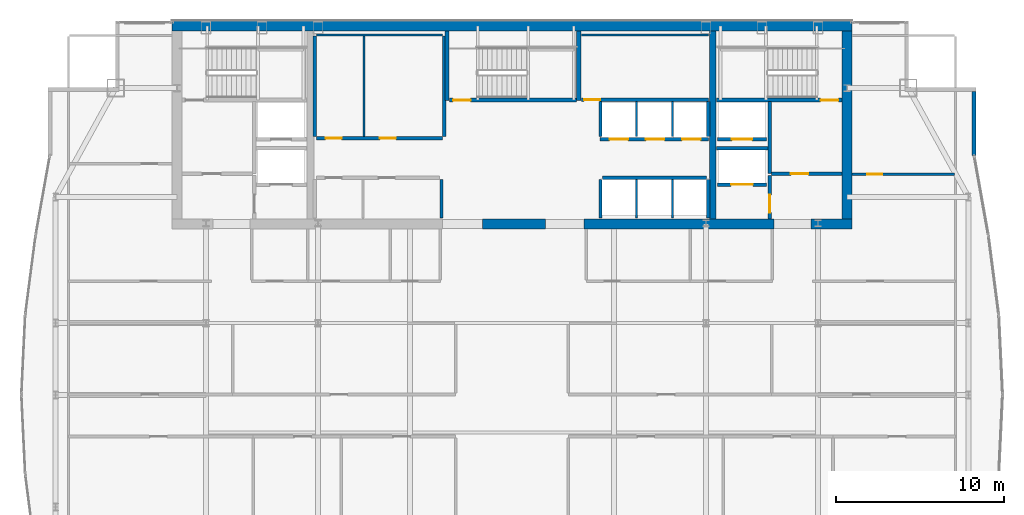
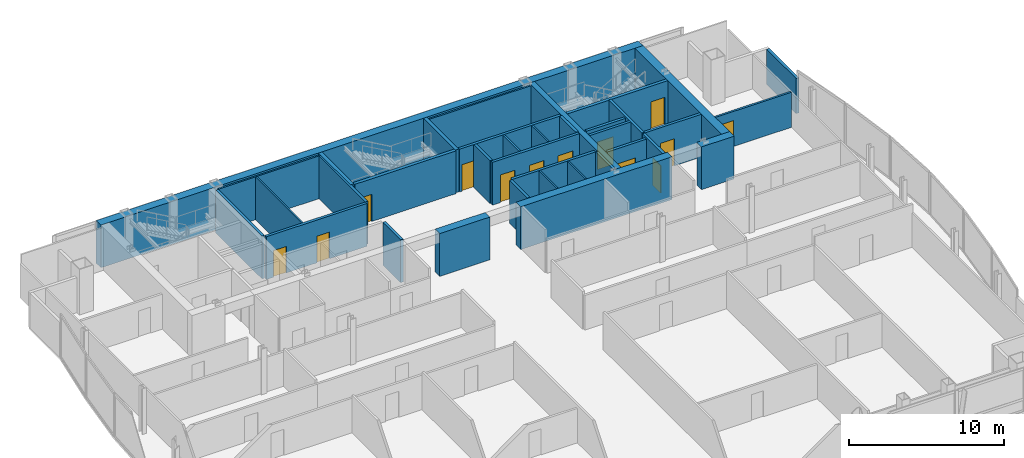
# One storey, part 27 of 30: 36 walls, 13 doors, 13 openings.
"""IFC4 building model written with IfcOpenShell, lengths in metres."""

from ifc_helpers import new_model, si_unit, direction, frame, frame_2d, origin, place, context, subcontext, project, spatial, rectangle, extrude, material, layer, layer_set, type_object, element, fill, save


model = new_model("IFC4")

# Units and contexts
model_context = context("Model", 3, precision=1e-05, world=origin(), true_north=direction((0.0, 1.0)))
body_context = subcontext(model_context, "Body", "Model", "MODEL_VIEW")
ifc_project = project(units=[si_unit("LENGTHUNIT", "METRE"), si_unit("AREAUNIT", "SQUARE_METRE"), si_unit("VOLUMEUNIT", "CUBIC_METRE"), si_unit("PLANEANGLEUNIT", "RADIAN"), si_unit("MASSUNIT", "GRAM", prefix="KILO")], contexts=[model_context])

# Site, building, storey
site_placement = place(None, origin())
site = spatial("IfcSite", under=ifc_project, at=site_placement, CompositionType="ELEMENT")
building_placement = place(site_placement, origin())
building = spatial("IfcBuilding", under=site, at=building_placement, Name="Khoronbel Lancet Exchange", CompositionType="ELEMENT")
storey_placement = place(building_placement, frame((0.0, 0.0, 253.39990234375)))
storey = spatial("IfcBuildingStorey", under=building, at=storey_placement, Name="L65", CompositionType="ELEMENT", Elevation=253.39990234375)

# Walls
ifc_material_1 = material(Name="Concrete C60/75", Category="concrete")
ifc_layer_1 = layer(ifc_material_1, 0.60009765625, Name="Concrete C60/75")
ifc_layer_set_1 = layer_set([ifc_layer_1], Name="Concrete C60/75")
wall_type_1 = type_object("IfcWallType", Name="WL-CW3", PredefinedType="SHEAR", material=ifc_layer_set_1)
wall_1_placement = place(storey_placement, frame((16.199951171875, 53.39990234375, 0.0), z_axis=(0.0, 0.0, 1.0), x_axis=(1.0, 0.0, 0.0)))
element("IfcWall", 1, at=wall_1_placement, inside=storey, type_object=wall_type_1, Name="Level L65 rear core north shear wall", PredefinedType="SHEAR", context=body_context, shape_type="SweptSolid", body=[
    extrude(rectangle(XDim=40.5, YDim=0.60009765625, at=frame_2d((20.25, 0.0))), origin(), (0.0, 0.0, 1.0), 3.380126953125),
])
wall_2_placement = place(storey_placement, frame((56.39990234375, 53.10009765625, 0.0), z_axis=(0.0, 0.0, 1.0), x_axis=(0.0, -1.0, 0.0)))
element("IfcWall", 2, at=wall_2_placement, inside=storey, type_object=wall_type_1, Name="Level L65 rear core east shear wall", PredefinedType="SHEAR", context=body_context, shape_type="SweptSolid", body=[
    extrude(rectangle(XDim=11.2001953125, YDim=0.60009765625, at=frame_2d((5.60009765625, 0.0))), origin(), (0.0, 0.0, 1.0), 3.380126953125),
])
wall_3_placement = place(storey_placement, frame((38.449951171875, 41.60009765625, 0.0), z_axis=(0.0, 0.0, 1.0), x_axis=(-1.0, 0.0, 0.0)))
element("IfcWall", 3, at=wall_3_placement, inside=storey, type_object=wall_type_1, Name="Level L65 rear core south shear wall pier P3", PredefinedType="SHEAR", context=body_context, shape_type="SweptSolid", body=[
    extrude(rectangle(XDim=3.75, YDim=0.60009765625, at=frame_2d((1.875, 0.0))), origin(), (0.0, 0.0, 1.0), 3.380126953125),
])
wall_4_placement = place(storey_placement, frame((52.050048828125, 41.60009765625, 0.0), z_axis=(0.0, 0.0, 1.0), x_axis=(-1.0, 0.0, 0.0)))
element("IfcWall", 4, at=wall_4_placement, inside=storey, type_object=wall_type_1, Name="Level L65 rear core south shear wall pier P4", PredefinedType="SHEAR", context=body_context, shape_type="SweptSolid", body=[
    extrude(rectangle(XDim=11.300048828125, YDim=0.60009765625, at=frame_2d((5.64990234375, 0.0))), origin(), (0.0, 0.0, 1.0), 3.380126953125),
])
wall_5_placement = place(storey_placement, frame((56.699951171875, 41.60009765625, 0.0), z_axis=(0.0, 0.0, 1.0), x_axis=(-1.0, 0.0, 0.0)))
element("IfcWall", 5, at=wall_5_placement, inside=storey, type_object=wall_type_1, Name="Level L65 rear core south shear wall pier P5", PredefinedType="SHEAR", context=body_context, shape_type="SweptSolid", body=[
    extrude(rectangle(XDim=2.449951171875, YDim=0.60009765625, at=frame_2d((1.22509765625, 0.0))), origin(), (0.0, 0.0, 1.0), 3.380126953125),
])
ifc_material_2 = material(Name="Precast concrete C40/50", Category="concrete")
ifc_layer_2 = layer(ifc_material_2, 0.25, Name="Precast concrete C40/50")
ifc_layer_set_2 = layer_set([ifc_layer_2], Name="Precast concrete C40/50")
wall_type_2 = type_object("IfcWallType", Name="WL-EXT250", PredefinedType="SOLIDWALL", material=ifc_layer_set_2)
wall_6_placement = place(storey_placement, frame((63.9599609375, 49.5, 0.0), z_axis=(0.0, 0.0, 1.0), x_axis=(0.0, -1.0, 0.0)))
element("IfcWall", 6, at=wall_6_placement, inside=storey, type_object=wall_type_2, Name="Level L65 notched-corner limestone pier 16", PredefinedType="SOLIDWALL", context=body_context, shape_type="SweptSolid", body=[
    extrude(rectangle(XDim=3.827880859375, YDim=0.219970703125, at=frame_2d((1.9140625, 0.0))), origin(), (0.0, 0.0, 1.0), 2.77001953125),
])

# Wall, opening, door
ifc_material_3 = material(Name="Acoustic Metal-Stud & Mineral-Wool Gypsum Partition 120 mm", Category="gypsum")
ifc_layer_3 = layer(ifc_material_3, 0.1201171875, Name="Acoustic Metal-Stud & Mineral-Wool Gypsum Partition 120 mm")
ifc_layer_set_3 = layer_set([ifc_layer_3], Name="Acoustic Metal-Stud & Mineral-Wool Gypsum Partition 120 mm")
wall_type_3 = type_object("IfcWallType", Name="WL-PRT120", PredefinedType="PARTITIONING", material=ifc_layer_set_3)
wall_7_placement = place(storey_placement, frame((56.699951171875, 44.56005859375, 0.0), z_axis=(0.0, 0.0, 1.0), x_axis=(1.0, 0.0, 0.0)))
wall_7 = element("IfcWall", 7, at=wall_7_placement, inside=storey, type_object=wall_type_3, Name="Level L65 interior partition PW-NE-H", PredefinedType="PARTITIONING", context=body_context, shape_type="SweptSolid", body=[
    extrude(rectangle(XDim=6.10498046875, YDim=0.14990234375, at=frame_2d((3.052490234375, 0.0))), origin(), (0.0, 0.0, 1.0), 2.77001953125),
])
opening_1_placement = place(wall_7_placement, frame((0.89990234375, 0.0, 0.0)))
opening_1 = element("IfcOpeningElement", 8, at=opening_1_placement, cuts=wall_7, Name="Opening D5", PredefinedType="OPENING", context=body_context, shape_type="SweptSolid", body=[
    extrude(rectangle(XDim=0.89990234375, YDim=2.050048828125, at=frame_2d((0.449951171875, 1.02490234375))), frame((0.0, 0.0849609375, 0.0), z_axis=(0.0, -1.0, 0.0), x_axis=(1.0, 0.0, 0.0)), (0.0, 0.0, 1.0), 0.169921875),
])
ifc_material_4 = material(Name="Acoustic Timber Pantry & Support Door", Category="wood")
door_type_1 = type_object("IfcDoorType", Name="DR-D5", OperationType="NOTDEFINED", PredefinedType="DOOR", material=ifc_material_4)
door_1_placement = place(opening_1_placement, origin())
door_1 = element("IfcDoor", 9, at=door_1_placement, inside=storey, type_object=door_type_1, Name="NE north room door L65-1", OperationType="SINGLE_SWING_LEFT", OverallHeight=2.050048828125, OverallWidth=0.89990234375, PredefinedType="DOOR", context=body_context, shape_type="SweptSolid", body=[
    extrude(rectangle(XDim=0.89990234375, YDim=2.050048828125, at=frame_2d((0.449951171875, 1.02490234375))), frame((0.0, 0.02490234375, 0.0), z_axis=(0.0, -1.0, 0.0), x_axis=(1.0, 0.0, 0.0)), (0.0, 0.0, 1.0), 0.050048828125),
])
fill(opening_1, door_1)

# Walls
ifc_material_5 = material(Name="Fire-Rated Metal-Stud & Mineral-Wool Gypsum Partition 120 mm", Category="gypsum")
ifc_layer_4 = layer(ifc_material_5, 0.1201171875, Name="Fire-Rated Metal-Stud & Mineral-Wool Gypsum Partition 120 mm")
ifc_layer_set_4 = layer_set([ifc_layer_4], Name="Fire-Rated Metal-Stud & Mineral-Wool Gypsum Partition 120 mm")
wall_type_4 = type_object("IfcWallType", Name="WL-PRT120F", PredefinedType="PARTITIONING", material=ifc_layer_set_4)
wall_8_placement = place(storey_placement, frame((24.804931640625, 52.860107421875, 0.0), z_axis=(0.0, 0.0, 1.0), x_axis=(1.0, 0.0, 0.0)))
element("IfcWall", 10, at=wall_8_placement, inside=storey, type_object=wall_type_4, Name="Level L65 interior partition CW-PL-RN", PredefinedType="PARTITIONING", context=body_context, shape_type="SweptSolid", body=[
    extrude(rectangle(XDim=7.510009765625, YDim=0.1201171875, at=frame_2d((3.7548828125, 0.0))), origin(), (0.0, 0.0, 1.0), 3.380126953125),
])
wall_9_placement = place(storey_placement, frame((27.633544921875, 46.804931640625, 0.0), z_axis=(0.0, 0.0, 1.0), x_axis=(0.0, 1.0, 0.0)))
element("IfcWall", 11, at=wall_9_placement, inside=storey, type_object=wall_type_4, Name="Level L65 interior partition CW-PL-RS1", PredefinedType="PARTITIONING", context=body_context, shape_type="SweptSolid", body=[
    extrude(rectangle(XDim=5.989990234375, YDim=0.1201171875, at=frame_2d((2.9951171875, 0.0))), origin(), (0.0, 0.0, 1.0), 3.380126953125),
])
for number, where, z_axis, x_axis, name in (
    (12, (43.860107421875, 46.800048828125, 0.0), (0.0, 0.0, 1.0), (0.0, 1.0, 0.0), "Level L65 interior partition CW-PH-D1"),
    (13, (46.0, 46.800048828125, 0.0), (0.0, 0.0, 1.0), (0.0, 1.0, 0.0), "Level L65 interior partition CW-PH-D2"),
):
    element("IfcWall", number, at=place(storey_placement, frame(where, z_axis=z_axis, x_axis=x_axis)), inside=storey, type_object=wall_type_4, Name=name, PredefinedType="PARTITIONING", context=body_context, shape_type="SweptSolid", body=[
        extrude(rectangle(XDim=2.094970703125, YDim=0.1201171875, at=frame_2d((1.04736328125, 0.0))), origin(), (0.0, 0.0, 1.0), 3.380126953125),
    ])
for number, where, z_axis, x_axis, name in (
    (14, (43.860107421875, 41.949951171875, 0.0), (0.0, 0.0, 1.0), (0.0, 1.0, 0.0), "Level L65 interior partition CW-PX-D1"),
    (15, (46.0, 41.949951171875, 0.0), (0.0, 0.0, 1.0), (0.0, 1.0, 0.0), "Level L65 interior partition CW-PX-D2"),
):
    element("IfcWall", number, at=place(storey_placement, frame(where, z_axis=z_axis, x_axis=x_axis)), inside=storey, type_object=wall_type_4, Name=name, PredefinedType="PARTITIONING", context=body_context, shape_type="SweptSolid", body=[
        extrude(rectangle(XDim=2.295166015625, YDim=0.1201171875, at=frame_2d((1.1474609375, 0.0))), origin(), (0.0, 0.0, 1.0), 3.380126953125),
    ])
wall_10_placement = place(storey_placement, frame((40.580078125, 52.860107421875, 0.0), z_axis=(0.0, 0.0, 1.0), x_axis=(1.0, 0.0, 0.0)))
element("IfcWall", 16, at=wall_10_placement, inside=storey, type_object=wall_type_4, Name="Level L65 interior partition CW-SUP-NE-N", PredefinedType="PARTITIONING", context=body_context, shape_type="SweptSolid", body=[
    extrude(rectangle(XDim=7.559814453125, YDim=0.1201171875, at=frame_2d((3.77978515625, 0.0))), origin(), (0.0, 0.0, 1.0), 3.380126953125),
])

# Wall, opening, door
ifc_material_6 = material(Name="Autoclaved Aerated Concrete Blockwork 200 mm", Category="masonry")
ifc_layer_5 = layer(ifc_material_6, 0.199951171875, Name="Autoclaved Aerated Concrete Blockwork 200 mm")
ifc_layer_set_5 = layer_set([ifc_layer_5], Name="Autoclaved Aerated Concrete Blockwork 200 mm")
wall_type_5 = type_object("IfcWallType", Name="WL-PRT200", PredefinedType="PARTITIONING", material=ifc_layer_set_5)
wall_11_placement = place(storey_placement, frame((51.610107421875, 43.949951171875, 0.0), z_axis=(0.0, 0.0, 1.0), x_axis=(-1.0, 0.0, 0.0)))
wall_11 = element("IfcWall", 17, at=wall_11_placement, inside=storey, type_object=wall_type_5, Name="Level L65 elevator hoistway landing front wall SVLE", PredefinedType="PARTITIONING", context=body_context, shape_type="SweptSolid", body=[
    extrude(rectangle(XDim=2.920166015625, YDim=0.199951171875, at=frame_2d((1.4599609375, 0.0))), origin(), (0.0, 0.0, 1.0), 3.380126953125),
])
opening_2_placement = place(wall_11_placement, frame((0.81005859375, 0.0, 0.0)))
opening_2 = element("IfcOpeningElement", 18, at=opening_2_placement, cuts=wall_11, Name="Opening LD-SVL2", PredefinedType="OPENING", context=body_context, shape_type="SweptSolid", body=[
    extrude(rectangle(XDim=1.300048828125, YDim=2.179931640625, at=frame_2d((0.64990234375, 1.08984375))), frame((0.0, 0.10986328125, 0.0), z_axis=(0.0, -1.0, 0.0), x_axis=(1.0, 0.0, 0.0)), (0.0, 0.0, 1.0), 0.219970703125),
])
ifc_material_7 = material(Name="Heavy-Duty Bi-Parting Goods Lift Landing Door", Category="steel")
door_type_2 = type_object("IfcDoorType", Name="DR-LD-SVL", OperationType="NOTDEFINED", PredefinedType="DOOR", material=ifc_material_7)
door_2_placement = place(opening_2_placement, origin())
door_2 = element("IfcDoor", 19, at=door_2_placement, inside=storey, type_object=door_type_2, Name="Elevator landing sliding door LD-SVL2 L65", OperationType="SLIDING_TO_LEFT", OverallHeight=2.179931640625, OverallWidth=1.300048828125, PredefinedType="DOOR", context=body_context, shape_type="SweptSolid", body=[
    extrude(rectangle(XDim=1.300048828125, YDim=2.179931640625, at=frame_2d((0.64990234375, 1.08984375))), frame((0.0, 0.02490234375, 0.0), z_axis=(0.0, -1.0, 0.0), x_axis=(1.0, 0.0, 0.0)), (0.0, 0.0, 1.0), 0.050048828125),
])
fill(opening_2, door_2)

wall_12_placement = place(storey_placement, frame((51.610107421875, 46.64990234375, 0.0), z_axis=(0.0, 0.0, 1.0), x_axis=(-1.0, 0.0, 0.0)))
wall_12 = element("IfcWall", 20, at=wall_12_placement, inside=storey, type_object=wall_type_5, Name="Level L65 elevator hoistway landing front wall FFLE", PredefinedType="PARTITIONING", context=body_context, shape_type="SweptSolid", body=[
    extrude(rectangle(XDim=2.920166015625, YDim=0.199951171875, at=frame_2d((1.4599609375, 0.0))), origin(), (0.0, 0.0, 1.0), 3.380126953125),
])
opening_3_placement = place(wall_12_placement, frame((0.860107421875, 0.0, 0.0)))
opening_3 = element("IfcOpeningElement", 21, at=opening_3_placement, cuts=wall_12, Name="Opening LD-FFL2", PredefinedType="OPENING", context=body_context, shape_type="SweptSolid", body=[
    extrude(rectangle(XDim=1.199951171875, YDim=2.179931640625, at=frame_2d((0.60009765625, 1.08984375))), frame((0.0, 0.10986328125, 0.0), z_axis=(0.0, -1.0, 0.0), x_axis=(1.0, 0.0, 0.0)), (0.0, 0.0, 1.0), 0.219970703125),
])
ifc_material_8 = material(Name="Fire-Rated Stainless Bi-Parting Firefighting Lift Door", Category="steel")
door_type_3 = type_object("IfcDoorType", Name="DR-LD-FFL", OperationType="NOTDEFINED", PredefinedType="DOOR", material=ifc_material_8)
door_3_placement = place(opening_3_placement, origin())
door_3 = element("IfcDoor", 22, at=door_3_placement, inside=storey, type_object=door_type_3, Name="Elevator landing sliding door LD-FFL2 L65", OperationType="SLIDING_TO_LEFT", OverallHeight=2.179931640625, OverallWidth=1.199951171875, PredefinedType="DOOR", context=body_context, shape_type="SweptSolid", body=[
    extrude(rectangle(XDim=1.199951171875, YDim=2.179931640625, at=frame_2d((0.60009765625, 1.08984375))), frame((0.0, 0.02490234375, 0.0), z_axis=(0.0, -1.0, 0.0), x_axis=(1.0, 0.0, 0.0)), (0.0, 0.0, 1.0), 0.050048828125),
])
fill(opening_3, door_3)

# Wall, openings, doors
wall_13_placement = place(storey_placement, frame((48.159912109375, 46.64990234375, 0.0), z_axis=(0.0, 0.0, 1.0), x_axis=(-1.0, 0.0, 0.0)))
wall_13 = element("IfcWall", 23, at=wall_13_placement, inside=storey, type_object=wall_type_5, Name="Level L65 elevator hoistway landing front wall PHE", PredefinedType="PARTITIONING", context=body_context, shape_type="SweptSolid", body=[
    extrude(rectangle(XDim=6.47998046875, YDim=0.199951171875, at=frame_2d((3.239990234375, 0.0))), origin(), (0.0, 0.0, 1.0), 3.380126953125),
])
opening_4_placement = place(wall_13_placement, frame((4.800048828125, 0.0, 0.0)))
opening_4 = element("IfcOpeningElement", 24, at=opening_4_placement, cuts=wall_13, Name="Opening LD-PH1", PredefinedType="OPENING", context=body_context, shape_type="SweptSolid", body=[
    extrude(rectangle(XDim=1.10009765625, YDim=2.179931640625, at=frame_2d((0.550048828125, 1.08984375))), frame((0.0, 0.10986328125, 0.0), z_axis=(0.0, -1.0, 0.0), x_axis=(1.0, 0.0, 0.0)), (0.0, 0.0, 1.0), 0.219970703125),
])
opening_5_placement = place(wall_13_placement, frame((2.639892578125, 0.0, 0.0)))
opening_5 = element("IfcOpeningElement", 25, at=opening_5_placement, cuts=wall_13, Name="Opening LD-PH2", PredefinedType="OPENING", context=body_context, shape_type="SweptSolid", body=[
    extrude(rectangle(XDim=1.10009765625, YDim=2.179931640625, at=frame_2d((0.550048828125, 1.08984375))), frame((0.0, 0.10986328125, 0.0), z_axis=(0.0, -1.0, 0.0), x_axis=(1.0, 0.0, 0.0)), (0.0, 0.0, 1.0), 0.219970703125),
])
opening_6_placement = place(wall_13_placement, frame((0.47998046875, 0.0, 0.0)))
opening_6 = element("IfcOpeningElement", 26, at=opening_6_placement, cuts=wall_13, Name="Opening LD-PH3", PredefinedType="OPENING", context=body_context, shape_type="SweptSolid", body=[
    extrude(rectangle(XDim=1.10009765625, YDim=2.179931640625, at=frame_2d((0.550048828125, 1.08984375))), frame((0.0, 0.10986328125, 0.0), z_axis=(0.0, -1.0, 0.0), x_axis=(1.0, 0.0, 0.0)), (0.0, 0.0, 1.0), 0.219970703125),
])
ifc_material_9 = material(Name="Brushed Bronze Bi-Parting Elevator Landing Door", Category="steel")
door_type_4 = type_object("IfcDoorType", Name="DR-LD-PAX", OperationType="NOTDEFINED", PredefinedType="DOOR", material=ifc_material_9)
door_4_placement = place(opening_4_placement, origin())
door_4 = element("IfcDoor", 27, at=door_4_placement, inside=storey, type_object=door_type_4, Name="Elevator landing sliding door LD-PH1 L65", OperationType="SLIDING_TO_LEFT", OverallHeight=2.179931640625, OverallWidth=1.10009765625, PredefinedType="DOOR", context=body_context, shape_type="SweptSolid", body=[
    extrude(rectangle(XDim=1.10009765625, YDim=2.179931640625, at=frame_2d((0.550048828125, 1.08984375))), frame((0.0, 0.02490234375, 0.0), z_axis=(0.0, -1.0, 0.0), x_axis=(1.0, 0.0, 0.0)), (0.0, 0.0, 1.0), 0.050048828125),
])
fill(opening_4, door_4)
door_5_placement = place(opening_5_placement, origin())
door_5 = element("IfcDoor", 28, at=door_5_placement, inside=storey, type_object=door_type_4, Name="Elevator landing sliding door LD-PH2 L65", OperationType="SLIDING_TO_LEFT", OverallHeight=2.179931640625, OverallWidth=1.10009765625, PredefinedType="DOOR", context=body_context, shape_type="SweptSolid", body=[
    extrude(rectangle(XDim=1.10009765625, YDim=2.179931640625, at=frame_2d((0.550048828125, 1.08984375))), frame((0.0, 0.02490234375, 0.0), z_axis=(0.0, -1.0, 0.0), x_axis=(1.0, 0.0, 0.0)), (0.0, 0.0, 1.0), 0.050048828125),
])
fill(opening_5, door_5)
door_6_placement = place(opening_6_placement, origin())
door_6 = element("IfcDoor", 29, at=door_6_placement, inside=storey, type_object=door_type_4, Name="Elevator landing sliding door LD-PH3 L65", OperationType="SLIDING_TO_LEFT", OverallHeight=2.179931640625, OverallWidth=1.10009765625, PredefinedType="DOOR", context=body_context, shape_type="SweptSolid", body=[
    extrude(rectangle(XDim=1.10009765625, YDim=2.179931640625, at=frame_2d((0.550048828125, 1.08984375))), frame((0.0, 0.02490234375, 0.0), z_axis=(0.0, -1.0, 0.0), x_axis=(1.0, 0.0, 0.0)), (0.0, 0.0, 1.0), 0.050048828125),
])
fill(opening_6, door_6)

# Wall
wall_14_placement = place(storey_placement, frame((51.800048828125, 44.60009765625, 0.0), z_axis=(0.0, 0.0, 1.0), x_axis=(0.0, 1.0, 0.0)))
element("IfcWall", 30, at=wall_14_placement, inside=storey, type_object=wall_type_5, Name="Level L65 interior partition CW-FFLE-W", PredefinedType="PARTITIONING", context=body_context, shape_type="SweptSolid", body=[
    extrude(rectangle(XDim=4.2998046875, YDim=0.199951171875, at=frame_2d((2.14990234375, 0.0))), origin(), (0.0, 0.0, 1.0), 3.380126953125),
])

# Wall, opening, door
wall_15_placement = place(storey_placement, frame((51.89990234375, 44.60009765625, 0.0), z_axis=(0.0, 0.0, 1.0), x_axis=(1.0, 0.0, 0.0)))
wall_15 = element("IfcWall", 31, at=wall_15_placement, inside=storey, type_object=wall_type_5, Name="Level L65 interior partition CW-FFLE-S", PredefinedType="PARTITIONING", context=body_context, shape_type="SweptSolid", body=[
    extrude(rectangle(XDim=4.2001953125, YDim=0.199951171875, at=frame_2d((2.10009765625, 0.0))), origin(), (0.0, 0.0, 1.0), 3.380126953125),
])
opening_7_placement = place(wall_15_placement, frame((1.14990234375, 0.0, 0.0)))
opening_7 = element("IfcOpeningElement", 32, at=opening_7_placement, cuts=wall_15, Name="Opening FD1", PredefinedType="OPENING", context=body_context, shape_type="SweptSolid", body=[
    extrude(rectangle(XDim=1.050048828125, YDim=2.14990234375, at=frame_2d((0.52490234375, 1.074951171875))), frame((0.0, 0.10986328125, 0.0), z_axis=(0.0, -1.0, 0.0), x_axis=(1.0, 0.0, 0.0)), (0.0, 0.0, 1.0), 0.219970703125),
])
ifc_material_10 = material(Name="Fire-Rated Painted Steel Door Assembly", Category="steel")
door_type_5 = type_object("IfcDoorType", Name="DR-FD1", OperationType="NOTDEFINED", PredefinedType="DOOR", material=ifc_material_10)
door_7_placement = place(opening_7_placement, origin())
door_7 = element("IfcDoor", 33, at=door_7_placement, inside=storey, type_object=door_type_5, Name="East firefighting lobby FD90S door L65-1", OperationType="SINGLE_SWING_RIGHT", OverallHeight=2.14990234375, OverallWidth=1.050048828125, PredefinedType="DOOR", context=body_context, shape_type="SweptSolid", body=[
    extrude(rectangle(XDim=1.050048828125, YDim=2.14990234375, at=frame_2d((0.52490234375, 1.074951171875))), frame((0.0, 0.02490234375, 0.0), z_axis=(0.0, -1.0, 0.0), x_axis=(1.0, 0.0, 0.0)), (0.0, 0.0, 1.0), 0.050048828125),
])
fill(opening_7, door_7)

# Wall
wall_16_placement = place(storey_placement, frame((48.6298828125, 46.1201171875, 0.0), z_axis=(0.0, 0.0, 1.0), x_axis=(1.0, 0.0, 0.0)))
element("IfcWall", 34, at=wall_16_placement, inside=storey, type_object=wall_type_5, Name="Level L65 interior partition CW-FFL2-S", PredefinedType="PARTITIONING", context=body_context, shape_type="SweptSolid", body=[
    extrude(rectangle(XDim=3.070068359375, YDim=0.199951171875, at=frame_2d((1.53515625, 0.0))), origin(), (0.0, 0.0, 1.0), 3.380126953125),
])

# Wall, opening, door
wall_17_placement = place(storey_placement, frame((51.800048828125, 41.89990234375, 0.0), z_axis=(0.0, 0.0, 1.0), x_axis=(0.0, 1.0, 0.0)))
wall_17 = element("IfcWall", 35, at=wall_17_placement, inside=storey, type_object=wall_type_5, Name="Level L65 interior partition CW-SVLE-E", PredefinedType="PARTITIONING", context=body_context, shape_type="SweptSolid", body=[
    extrude(rectangle(XDim=2.59521484375, YDim=0.199951171875, at=frame_2d((1.297607421875, 0.0))), origin(), (0.0, 0.0, 1.0), 3.380126953125),
])
opening_8_placement = place(wall_17_placement, frame((0.3798828125, 0.0, 0.0)))
opening_8 = element("IfcOpeningElement", 36, at=opening_8_placement, cuts=wall_17, Name="Opening FD1", PredefinedType="OPENING", context=body_context, shape_type="SweptSolid", body=[
    extrude(rectangle(XDim=1.050048828125, YDim=2.14990234375, at=frame_2d((0.52490234375, 1.074951171875))), frame((0.0, 0.10986328125, 0.0), z_axis=(0.0, -1.0, 0.0), x_axis=(1.0, 0.0, 0.0)), (0.0, 0.0, 1.0), 0.219970703125),
])
door_8_placement = place(opening_8_placement, origin())
door_8 = element("IfcDoor", 37, at=door_8_placement, inside=storey, type_object=door_type_5, Name="East service lift lobby door L65-1", OperationType="SINGLE_SWING_LEFT", OverallHeight=2.14990234375, OverallWidth=1.050048828125, PredefinedType="DOOR", context=body_context, shape_type="SweptSolid", body=[
    extrude(rectangle(XDim=1.050048828125, YDim=2.14990234375, at=frame_2d((0.52490234375, 1.074951171875))), frame((0.0, 0.02490234375, 0.0), z_axis=(0.0, -1.0, 0.0), x_axis=(1.0, 0.0, 0.0)), (0.0, 0.0, 1.0), 0.050048828125),
])
fill(opening_8, door_8)

# Walls
for number, where, z_axis, x_axis, name in (
    (38, (24.699951171875, 46.804931640625, 0.0), (0.0, 0.0, 1.0), (0.0, 1.0, 0.0), "Level L65 interior partition CW-PL-RW"),
    (39, (32.419921875, 46.804931640625, 0.0), (0.0, 0.0, 1.0), (0.0, 1.0, 0.0), "Level L65 interior partition CW-PL-RE"),
):
    element("IfcWall", number, at=place(storey_placement, frame(where, z_axis=z_axis, x_axis=x_axis)), inside=storey, type_object=wall_type_5, Name=name, PredefinedType="PARTITIONING", context=body_context, shape_type="SweptSolid", body=[
        extrude(rectangle(XDim=5.989990234375, YDim=0.199951171875, at=frame_2d((2.9951171875, 0.0))), origin(), (0.0, 0.0, 1.0), 3.380126953125),
    ])

# Wall, openings, doors
wall_18_placement = place(storey_placement, frame((24.804931640625, 46.699951171875, 0.0), z_axis=(0.0, 0.0, 1.0), x_axis=(1.0, 0.0, 0.0)))
wall_18 = element("IfcWall", 40, at=wall_18_placement, inside=storey, type_object=wall_type_5, Name="Level L65 interior partition CW-PL-RF", PredefinedType="PARTITIONING", context=body_context, shape_type="SweptSolid", body=[
    extrude(rectangle(XDim=7.510009765625, YDim=0.199951171875, at=frame_2d((3.7548828125, 0.0))), origin(), (0.0, 0.0, 1.0), 3.380126953125),
])
opening_9_placement = place(wall_18_placement, frame((0.550048828125, 0.0, 0.0)))
opening_9 = element("IfcOpeningElement", 41, at=opening_9_placement, cuts=wall_18, Name="Opening FD3", PredefinedType="OPENING", context=body_context, shape_type="SweptSolid", body=[
    extrude(rectangle(XDim=0.949951171875, YDim=2.10009765625, at=frame_2d((0.47509765625, 1.050048828125))), frame((0.0, 0.10986328125, 0.0), z_axis=(0.0, -1.0, 0.0), x_axis=(1.0, 0.0, 0.0)), (0.0, 0.0, 1.0), 0.219970703125),
])
opening_10_placement = place(wall_18_placement, frame((3.78369140625, 0.0, 0.0)))
opening_10 = element("IfcOpeningElement", 42, at=opening_10_placement, cuts=wall_18, Name="Opening FD3", PredefinedType="OPENING", context=body_context, shape_type="SweptSolid", body=[
    extrude(rectangle(XDim=0.949951171875, YDim=2.10009765625, at=frame_2d((0.47509765625, 1.050048828125))), frame((0.0, 0.10986328125, 0.0), z_axis=(0.0, -1.0, 0.0), x_axis=(1.0, 0.0, 0.0)), (0.0, 0.0, 1.0), 0.219970703125),
])
ifc_material_11 = material(Name="Fire-Rated Steel Plant & Riser Door Assembly", Category="steel")
door_type_6 = type_object("IfcDoorType", Name="DR-FD3", OperationType="NOTDEFINED", PredefinedType="DOOR", material=ifc_material_11)
door_9_placement = place(opening_9_placement, origin())
door_9 = element("IfcDoor", 43, at=door_9_placement, inside=storey, type_object=door_type_6, Name="Reclaimed PL A door L65-1", OperationType="SINGLE_SWING_RIGHT", OverallHeight=2.10009765625, OverallWidth=0.949951171875, PredefinedType="DOOR", context=body_context, shape_type="SweptSolid", body=[
    extrude(rectangle(XDim=0.949951171875, YDim=2.10009765625, at=frame_2d((0.47509765625, 1.050048828125))), frame((0.0, 0.02490234375, 0.0), z_axis=(0.0, -1.0, 0.0), x_axis=(1.0, 0.0, 0.0)), (0.0, 0.0, 1.0), 0.050048828125),
])
fill(opening_9, door_9)
door_10_placement = place(opening_10_placement, origin())
door_10 = element("IfcDoor", 44, at=door_10_placement, inside=storey, type_object=door_type_6, Name="Reclaimed PL B door L65-2", OperationType="SINGLE_SWING_LEFT", OverallHeight=2.10009765625, OverallWidth=0.949951171875, PredefinedType="DOOR", context=body_context, shape_type="SweptSolid", body=[
    extrude(rectangle(XDim=0.949951171875, YDim=2.10009765625, at=frame_2d((0.47509765625, 1.050048828125))), frame((0.0, 0.02490234375, 0.0), z_axis=(0.0, -1.0, 0.0), x_axis=(1.0, 0.0, 0.0)), (0.0, 0.0, 1.0), 0.050048828125),
])
fill(opening_10, door_10)

# Walls
wall_19_placement = place(storey_placement, frame((32.25, 41.949951171875, 0.0), z_axis=(0.0, 0.0, 1.0), x_axis=(0.0, 1.0, 0.0)))
element("IfcWall", 45, at=wall_19_placement, inside=storey, type_object=wall_type_5, Name="Level L65 interior partition CW-PM-RE", PredefinedType="PARTITIONING", context=body_context, shape_type="SweptSolid", body=[
    extrude(rectangle(XDim=2.295166015625, YDim=0.199951171875, at=frame_2d((1.1474609375, 0.0))), origin(), (0.0, 0.0, 1.0), 3.380126953125),
])
for number, where, z_axis, x_axis, name in (
    (46, (41.719970703125, 46.800048828125, 0.0), (0.0, 0.0, 1.0), (0.0, 1.0, 0.0), "Level L65 interior partition CW-PH-W"),
    (47, (48.139892578125, 46.800048828125, 0.0), (0.0, 0.0, 1.0), (0.0, 1.0, 0.0), "Level L65 interior partition CW-PH-E"),
):
    element("IfcWall", number, at=place(storey_placement, frame(where, z_axis=z_axis, x_axis=x_axis)), inside=storey, type_object=wall_type_5, Name=name, PredefinedType="PARTITIONING", context=body_context, shape_type="SweptSolid", body=[
        extrude(rectangle(XDim=2.094970703125, YDim=0.199951171875, at=frame_2d((1.04736328125, 0.0))), origin(), (0.0, 0.0, 1.0), 3.380126953125),
    ])
wall_20_placement = place(storey_placement, frame((41.824951171875, 44.35009765625, 0.0), z_axis=(0.0, 0.0, 1.0), x_axis=(1.0, 0.0, 0.0)))
element("IfcWall", 48, at=wall_20_placement, inside=storey, type_object=wall_type_5, Name="Level L65 interior partition CW-PX-EXP", PredefinedType="PARTITIONING", context=body_context, shape_type="SweptSolid", body=[
    extrude(rectangle(XDim=6.2099609375, YDim=0.199951171875, at=frame_2d((3.10498046875, 0.0))), origin(), (0.0, 0.0, 1.0), 3.380126953125),
])
for number, where, z_axis, x_axis, name in (
    (49, (41.719970703125, 41.949951171875, 0.0), (0.0, 0.0, 1.0), (0.0, 1.0, 0.0), "Level L65 interior partition CW-PX-W"),
    (50, (48.139892578125, 41.949951171875, 0.0), (0.0, 0.0, 1.0), (0.0, 1.0, 0.0), "Level L65 interior partition CW-PX-E"),
):
    element("IfcWall", number, at=place(storey_placement, frame(where, z_axis=z_axis, x_axis=x_axis)), inside=storey, type_object=wall_type_5, Name=name, PredefinedType="PARTITIONING", context=body_context, shape_type="SweptSolid", body=[
        extrude(rectangle(XDim=2.295166015625, YDim=0.199951171875, at=frame_2d((1.1474609375, 0.0))), origin(), (0.0, 0.0, 1.0), 3.380126953125),
    ])

# Wall, opening, door
wall_21_placement = place(storey_placement, frame((40.580078125, 49.0, 0.0), z_axis=(0.0, 0.0, 1.0), x_axis=(1.0, 0.0, 0.0)))
wall_21 = element("IfcWall", 51, at=wall_21_placement, inside=storey, type_object=wall_type_5, Name="Level L65 interior partition CW-SUP-NE-S", PredefinedType="PARTITIONING", context=body_context, shape_type="SweptSolid", body=[
    extrude(rectangle(XDim=7.559814453125, YDim=0.199951171875, at=frame_2d((3.77978515625, 0.0))), origin(), (0.0, 0.0, 1.0), 3.380126953125),
])
opening_11_placement = place(wall_21_placement, frame((0.159912109375, 0.0, 0.0)))
opening_11 = element("IfcOpeningElement", 52, at=opening_11_placement, cuts=wall_21, Name="Opening FD3", PredefinedType="OPENING", context=body_context, shape_type="SweptSolid", body=[
    extrude(rectangle(XDim=0.949951171875, YDim=2.10009765625, at=frame_2d((0.47509765625, 1.050048828125))), frame((0.0, 0.10986328125, 0.0), z_axis=(0.0, -1.0, 0.0), x_axis=(1.0, 0.0, 0.0)), (0.0, 0.0, 1.0), 0.219970703125),
])
door_11_placement = place(opening_11_placement, origin())
door_11 = element("IfcDoor", 53, at=door_11_placement, inside=storey, type_object=door_type_6, Name="Core NE support room door L65-1", OperationType="SINGLE_SWING_RIGHT", OverallHeight=2.10009765625, OverallWidth=0.949951171875, PredefinedType="DOOR", context=body_context, shape_type="SweptSolid", body=[
    extrude(rectangle(XDim=0.949951171875, YDim=2.10009765625, at=frame_2d((0.47509765625, 1.050048828125))), frame((0.0, 0.02490234375, 0.0), z_axis=(0.0, -1.0, 0.0), x_axis=(1.0, 0.0, 0.0)), (0.0, 0.0, 1.0), 0.050048828125),
])
fill(opening_11, door_11)

# Walls
ifc_layer_6 = layer(ifc_material_1, 0.39990234375, Name="Concrete C60/75")
ifc_layer_set_6 = layer_set([ifc_layer_6], Name="Concrete C60/75")
wall_type_6 = type_object("IfcWallType", Name="WL-SW2", PredefinedType="SHEAR", material=ifc_layer_set_6)
wall_22_placement = place(storey_placement, frame((48.39990234375, 41.89990234375, 0.0), z_axis=(0.0, 0.0, 1.0), x_axis=(0.0, 1.0, 0.0)))
element("IfcWall", 54, at=wall_22_placement, inside=storey, type_object=wall_type_6, Name="Level L65 rear core internal spine shear wall IE", PredefinedType="SHEAR", context=body_context, shape_type="SweptSolid", body=[
    extrude(rectangle(XDim=11.2001953125, YDim=0.39990234375, at=frame_2d((5.60009765625, 0.0))), origin(), (0.0, 0.0, 1.0), 3.380126953125),
])
ifc_layer_7 = layer(ifc_material_1, 0.260009765625, Name="Concrete C60/75")
ifc_layer_set_7 = layer_set([ifc_layer_7], Name="Concrete C60/75")
wall_type_7 = type_object("IfcWallType", Name="WL-SW3", PredefinedType="SHEAR", material=ifc_layer_set_7)
for number, where, z_axis, x_axis, name in (
    (55, (32.580078125, 48.949951171875, 0.0), (0.0, 0.0, 1.0), (0.0, 1.0, 0.0), "Level L65 central stairwell structural shear wall ST3W"),
    (56, (40.419921875, 48.949951171875, 0.0), (0.0, 0.0, 1.0), (0.0, 1.0, 0.0), "Level L65 central stairwell structural shear wall ST3E"),
):
    element("IfcWall", number, at=place(storey_placement, frame(where, z_axis=z_axis, x_axis=x_axis)), inside=storey, type_object=wall_type_7, Name=name, PredefinedType="SHEAR", context=body_context, shape_type="SweptSolid", body=[
        extrude(rectangle(XDim=4.150146484375, YDim=0.260009765625, at=frame_2d((2.0751953125, 0.0))), origin(), (0.0, 0.0, 1.0), 3.380126953125),
    ])

# Wall, opening, door
wall_23_placement = place(storey_placement, frame((48.6298828125, 48.97998046875, 0.0), z_axis=(0.0, 0.0, 1.0), x_axis=(1.0, 0.0, 0.0)))
wall_23 = element("IfcWall", 57, at=wall_23_placement, inside=storey, type_object=wall_type_7, Name="Level L65 east stairwell structural south wall", PredefinedType="SHEAR", context=body_context, shape_type="SweptSolid", body=[
    extrude(rectangle(XDim=7.47021484375, YDim=0.239990234375, at=frame_2d((3.735107421875, 0.0))), origin(), (0.0, 0.0, 1.0), 3.380126953125),
])
opening_12_placement = place(wall_23_placement, frame((6.199951171875, 0.0, 0.0)))
opening_12 = element("IfcOpeningElement", 58, at=opening_12_placement, cuts=wall_23, Name="Opening SD1", PredefinedType="OPENING", context=body_context, shape_type="SweptSolid", body=[
    extrude(rectangle(XDim=1.050048828125, YDim=2.14990234375, at=frame_2d((0.52490234375, 1.074951171875))), frame((0.0, 0.1298828125, 0.0), z_axis=(0.0, -1.0, 0.0), x_axis=(1.0, 0.0, 0.0)), (0.0, 0.0, 1.0), 0.260009765625),
])
ifc_material_12 = material(Name="Fire-Rated Steel Stairwell Door Assembly", Category="steel")
door_type_7 = type_object("IfcDoorType", Name="DR-SD1", OperationType="NOTDEFINED", PredefinedType="DOOR", material=ifc_material_12)
door_12_placement = place(opening_12_placement, origin())
door_12 = element("IfcDoor", 59, at=door_12_placement, inside=storey, type_object=door_type_7, Name="Protected exit stair ST2 door L65", OperationType="SINGLE_SWING_RIGHT", OverallHeight=2.14990234375, OverallWidth=1.050048828125, PredefinedType="DOOR", context=body_context, shape_type="SweptSolid", body=[
    extrude(rectangle(XDim=1.050048828125, YDim=2.14990234375, at=frame_2d((0.52490234375, 1.074951171875))), frame((0.0, 0.02490234375, 0.0), z_axis=(0.0, -1.0, 0.0), x_axis=(1.0, 0.0, 0.0)), (0.0, 0.0, 1.0), 0.050048828125),
])
fill(opening_12, door_12)

wall_24_placement = place(storey_placement, frame((32.719970703125, 48.97998046875, 0.0), z_axis=(0.0, 0.0, 1.0), x_axis=(1.0, 0.0, 0.0)))
wall_24 = element("IfcWall", 60, at=wall_24_placement, inside=storey, type_object=wall_type_7, Name="Level L65 central stairwell structural south wall", PredefinedType="SHEAR", context=body_context, shape_type="SweptSolid", body=[
    extrude(rectangle(XDim=7.56005859375, YDim=0.239990234375, at=frame_2d((3.780029296875, 0.0))), origin(), (0.0, 0.0, 1.0), 3.380126953125),
])
opening_13_placement = place(wall_24_placement, frame((0.219970703125, 0.0, 0.0)))
opening_13 = element("IfcOpeningElement", 61, at=opening_13_placement, cuts=wall_24, Name="Opening SD1", PredefinedType="OPENING", context=body_context, shape_type="SweptSolid", body=[
    extrude(rectangle(XDim=1.050048828125, YDim=2.14990234375, at=frame_2d((0.52490234375, 1.074951171875))), frame((0.0, 0.1298828125, 0.0), z_axis=(0.0, -1.0, 0.0), x_axis=(1.0, 0.0, 0.0)), (0.0, 0.0, 1.0), 0.260009765625),
])
door_13_placement = place(opening_13_placement, origin())
door_13 = element("IfcDoor", 62, at=door_13_placement, inside=storey, type_object=door_type_7, Name="Protected exit stair ST3 door L65", OperationType="SINGLE_SWING_LEFT", OverallHeight=2.14990234375, OverallWidth=1.050048828125, PredefinedType="DOOR", context=body_context, shape_type="SweptSolid", body=[
    extrude(rectangle(XDim=1.050048828125, YDim=2.14990234375, at=frame_2d((0.52490234375, 1.074951171875))), frame((0.0, 0.02490234375, 0.0), z_axis=(0.0, -1.0, 0.0), x_axis=(1.0, 0.0, 0.0)), (0.0, 0.0, 1.0), 0.050048828125),
])
fill(opening_13, door_13)

save(model, "model.ifc")
